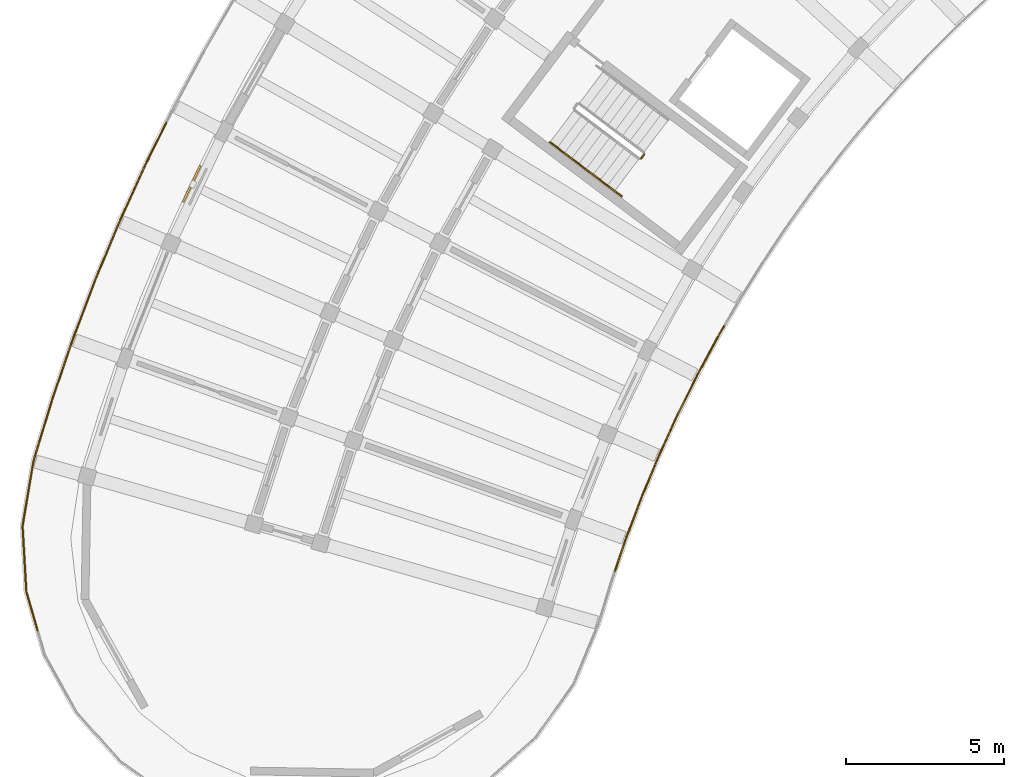
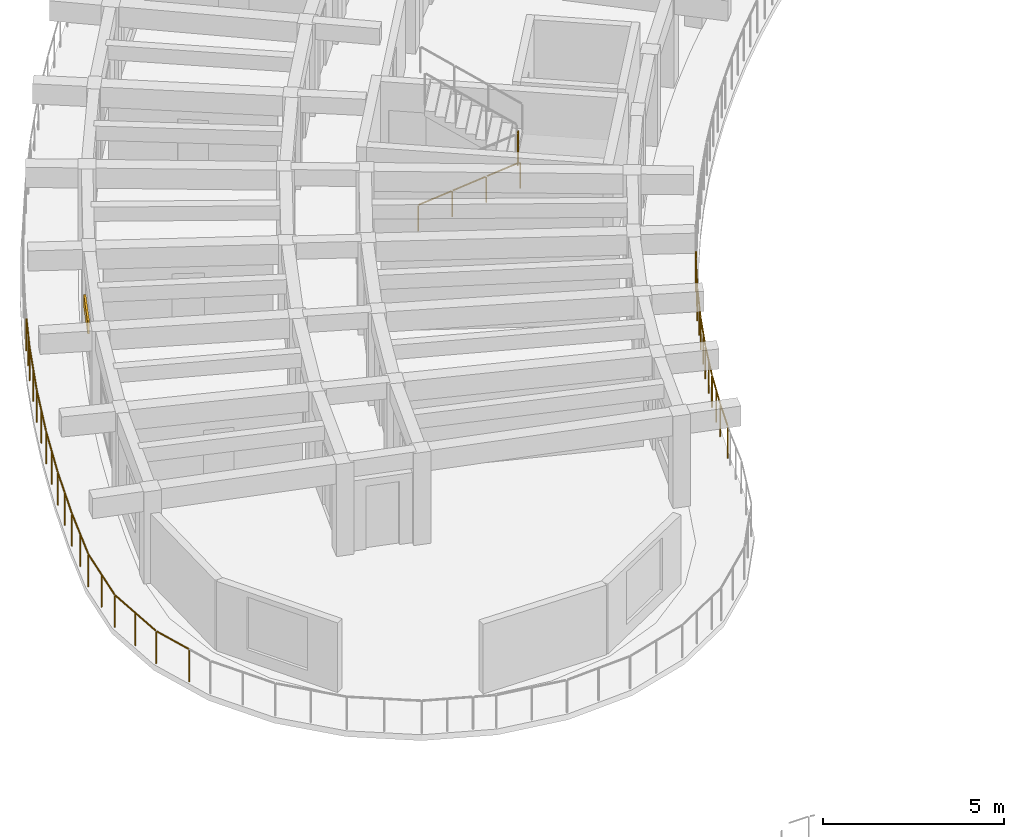
# One storey, part 70 of 83: 7 railings, 1 shading device.
"""IFC4 building model written with IfcOpenShell, lengths in metres."""

from ifc_helpers import new_model, si_unit, direction, frame, origin, origin_2d, place, context, subcontext, project, spatial, rectangle, circle, extrude, material, layer, layer_set, type_object, element, save


model = new_model("IFC4")

# Units and contexts
model_context = context("Model", 3, precision=1e-05, world=origin(), true_north=direction((0.0, 1.0)))
body_context = subcontext(model_context, "Body", "Model", "MODEL_VIEW")
ifc_project = project(units=[si_unit("LENGTHUNIT", "METRE"), si_unit("AREAUNIT", "SQUARE_METRE"), si_unit("VOLUMEUNIT", "CUBIC_METRE"), si_unit("PLANEANGLEUNIT", "RADIAN"), si_unit("MASSUNIT", "GRAM", prefix="KILO")], contexts=[model_context])

# Site, building, storey
site_placement = place(None, origin())
site = spatial("IfcSite", under=ifc_project, at=site_placement, CompositionType="ELEMENT")
building_placement = place(site_placement, origin())
building = spatial("IfcBuilding", under=site, at=building_placement, Name="Tanwirah Colonnade Gardens", CompositionType="ELEMENT")
storey_placement = place(building_placement, frame((0.0, 0.0, 25.639892578125)))
storey = spatial("IfcBuildingStorey", under=building, at=storey_placement, Name="L07", CompositionType="ELEMENT", Elevation=25.639892578125)

# Railings
ifc_material_1 = material(Name="Precast concrete C40/50", Category="concrete")
railing_type_1 = type_object("IfcRailingType", Name="BAL-EXT112", PredefinedType="BALUSTRADE", material=ifc_material_1)
railing_1_placement = place(storey_placement, frame((27.947509765625, 81.373046875, 0.0)))
element("IfcRailing", 1, at=railing_1_placement, inside=storey, type_object=railing_type_1, Name="Block A L07 Balcony Ribbon Balustrade 6", PredefinedType="BALUSTRADE", context=body_context, shape_type="SweptSolid", body=[
    extrude(circle(Radius=0.02392578125, at=origin_2d()), frame((-0.015625, -0.027099609375, 1.09619140625), z_axis=(-0.502423717067, -0.864621540634, 0.0), x_axis=(0.864621540634, -0.502423717067, 0.0)), (0.0, 0.0, 1.0), 0.32568359375),
    extrude(circle(Radius=0.02392578125, at=origin_2d()), frame((-0.211181640625, -0.365478515625, 1.09619140625), z_axis=(-0.473716211853, -0.880677552018, 0.0), x_axis=(0.880677552018, -0.473716211853, 0.0)), (0.0, 0.0, 1.0), 1.341796875),
    extrude(circle(Radius=0.02392578125, at=origin_2d()), frame((-0.876708984375, -1.60498046875, 1.09619140625), z_axis=(-0.444499692011, -0.895779003885, 0.0), x_axis=(0.895779003885, -0.444499692011, 0.0)), (0.0, 0.0, 1.0), 1.341796875),
    extrude(circle(Radius=0.02392578125, at=origin_2d()), frame((-1.501220703125, -2.865966796875, 1.09619140625), z_axis=(-0.414654197084, -0.909979063957, 0.0), x_axis=(0.909979063957, -0.414654197084, 0.0)), (0.0, 0.0, 1.0), 1.341796875),
    extrude(circle(Radius=0.02392578125, at=origin_2d()), frame((-2.08349609375, -4.146484375, 1.09619140625), z_axis=(-0.384541319971, -0.923107779858, 0.0), x_axis=(0.923107779858, -0.384541319971, 0.0)), (0.0, 0.0, 1.0), 1.341796875),
    extrude(circle(Radius=0.02392578125, at=origin_2d()), frame((-2.62353515625, -5.44580078125, 1.09619140625), z_axis=(-0.353789339155, -0.935325132508, 0.0), x_axis=(0.935325132508, -0.353789339155, 0.0)), (0.0, 0.0, 1.0), 1.341796875),
    extrude(circle(Radius=0.02392578125, at=origin_2d()), frame((-3.120361328125, -6.761962890625, 1.09619140625), z_axis=(-0.322900627553, -0.946432873862, 0.0), x_axis=(0.946432873862, -0.322900627553, 0.0)), (0.0, 0.0, 1.0), 1.011962890625),
    extrude(circle(Radius=0.02099609375, at=origin_2d()), origin(), (0.0, 0.0, 1.0), 1.069091796875),
    extrude(circle(Radius=0.02099609375, at=origin_2d()), frame((-0.195068359375, -0.335693359375, 0.0)), (0.0, 0.0, 1.0), 1.069091796875),
    extrude(circle(Radius=0.02099609375, at=origin_2d()), frame((-0.52880859375, -0.956298828125, 0.0)), (0.0, 0.0, 1.0), 1.069091796875),
    extrude(circle(Radius=0.02099609375, at=origin_2d()), frame((-0.861572265625, -1.57470703125, 0.0)), (0.0, 0.0, 1.0), 1.069091796875),
    extrude(circle(Radius=0.02099609375, at=origin_2d()), frame((-1.1748046875, -2.2060546875, 0.0)), (0.0, 0.0, 1.0), 1.069091796875),
    extrude(circle(Radius=0.02099609375, at=origin_2d()), frame((-1.487060546875, -2.8349609375, 0.0)), (0.0, 0.0, 1.0), 1.069091796875),
    extrude(circle(Radius=0.02099609375, at=origin_2d()), frame((-1.779296875, -3.476318359375, 0.0)), (0.0, 0.0, 1.0), 1.069091796875),
    extrude(circle(Radius=0.02099609375, at=origin_2d()), frame((-2.070556640625, -4.115234375, 0.0)), (0.0, 0.0, 1.0), 1.069091796875),
    extrude(circle(Radius=0.02099609375, at=origin_2d()), frame((-2.341552734375, -4.765869140625, 0.0)), (0.0, 0.0, 1.0), 1.069091796875),
    extrude(circle(Radius=0.02099609375, at=origin_2d()), frame((-2.611572265625, -5.4140625, 0.0)), (0.0, 0.0, 1.0), 1.069091796875),
    extrude(circle(Radius=0.02099609375, at=origin_2d()), frame((-2.86083984375, -6.0732421875, 0.0)), (0.0, 0.0, 1.0), 1.069091796875),
    extrude(circle(Radius=0.02099609375, at=origin_2d()), frame((-3.109375, -6.72998046875, 0.0)), (0.0, 0.0, 1.0), 1.069091796875),
    extrude(circle(Radius=0.02099609375, at=origin_2d()), frame((-3.457275390625, -7.749267578125, 0.0)), (0.0, 0.0, 1.0), 1.069091796875),
])
railing_2_placement = place(storey_placement, frame((6.184814453125, 71.72998046875, 0.0)))
element("IfcRailing", 2, at=railing_2_placement, inside=storey, type_object=railing_type_1, Name="Block A L07 Balcony Ribbon Balustrade 10", PredefinedType="BALUSTRADE", context=body_context, shape_type="SweptSolid", body=[
    extrude(circle(Radius=0.02392578125, at=origin_2d()), frame((-0.0087890625, 0.030029296875, 1.09619140625), z_axis=(-0.278016434724, 0.960576317646, 0.0), x_axis=(-0.960576317646, -0.278016434724, 0.0)), (0.0, 0.0, 1.0), 1.21875),
    extrude(circle(Radius=0.02392578125, at=origin_2d()), frame((-0.35791015625, 1.261962890625, 1.09619140625), z_axis=(-0.057322977065, 0.998355686266, 0.0), x_axis=(-0.998355686266, -0.057322977065, 0.0)), (0.0, 0.0, 1.0), 2.0244140625),
    extrude(circle(Radius=0.02392578125, at=origin_2d()), frame((-0.470703125, 3.344970703125, 1.09619140625), z_axis=(0.166292387508, 0.986076488847, 0.0), x_axis=(-0.986076488847, 0.166292387508, 0.0)), (0.0, 0.0, 1.0), 2.028076171875),
    extrude(circle(Radius=0.02392578125, at=origin_2d()), frame((-0.119140625, 5.405517578125, 1.09619140625), z_axis=(0.291363831298, 0.956612313224, 0.0), x_axis=(-0.956612313224, 0.291363831298, 0.0)), (0.0, 0.0, 1.0), 1.955078125),
    extrude(circle(Radius=0.02392578125, at=origin_2d()), frame((0.4697265625, 7.33544921875, 1.09619140625), z_axis=(0.322945869443, 0.946417437186, 0.0), x_axis=(-0.946417437186, 0.322945869443, 0.0)), (0.0, 0.0, 1.0), 0.961181640625),
    extrude(circle(Radius=0.02099609375, at=origin_2d()), origin(), (0.0, 0.0, 1.0), 1.069091796875),
    extrude(circle(Radius=0.02099609375, at=origin_2d()), frame((-0.356201171875, 1.230712890625, 0.0)), (0.0, 0.0, 1.0), 1.069091796875),
    extrude(circle(Radius=0.02099609375, at=origin_2d()), frame((-0.416015625, 2.2724609375, 0.0)), (0.0, 0.0, 1.0), 1.069091796875),
    extrude(circle(Radius=0.02099609375, at=origin_2d()), frame((-0.475830078125, 3.314208984375, 0.0)), (0.0, 0.0, 1.0), 1.069091796875),
    extrude(circle(Radius=0.02099609375, at=origin_2d()), frame((-0.302001953125, 4.344970703125, 0.0)), (0.0, 0.0, 1.0), 1.069091796875),
    extrude(circle(Radius=0.02099609375, at=origin_2d()), frame((-0.128173828125, 5.375732421875, 0.0)), (0.0, 0.0, 1.0), 1.069091796875),
    extrude(circle(Radius=0.02099609375, at=origin_2d()), frame((0.165771484375, 6.3408203125, 0.0)), (0.0, 0.0, 1.0), 1.069091796875),
    extrude(circle(Radius=0.02099609375, at=origin_2d()), frame((0.459716796875, 7.305908203125, 0.0)), (0.0, 0.0, 1.0), 1.069091796875),
    extrude(circle(Radius=0.02099609375, at=origin_2d()), frame((0.790283203125, 8.274658203125, 0.0)), (0.0, 0.0, 1.0), 1.069091796875),
])
railing_3_placement = place(storey_placement, frame((6.97509765625, 80.004638671875, 0.0)))
element("IfcRailing", 3, at=railing_3_placement, inside=storey, type_object=railing_type_1, Name="Block A L07 Balcony Ribbon Balustrade 11", PredefinedType="BALUSTRADE", context=body_context, shape_type="SweptSolid", body=[
    extrude(circle(Radius=0.02392578125, at=origin_2d()), frame((0.010009765625, 0.029541015625, 1.09619140625), z_axis=(0.322753642414, 0.946483008991, 0.0), x_axis=(-0.946483008991, 0.322753642414, 0.0)), (0.0, 0.0, 1.0), 0.935302734375),
    extrude(circle(Radius=0.02392578125, at=origin_2d()), frame((0.3330078125, 0.9736328125, 1.09619140625), z_axis=(0.353874964852, 0.935292739869, 0.0), x_axis=(-0.935292739869, 0.353874964852, 0.0)), (0.0, 0.0, 1.0), 1.958984375),
    extrude(circle(Radius=0.02392578125, at=origin_2d()), frame((1.04931640625, 2.86376953125, 1.09619140625), z_axis=(0.384409566544, 0.92316265368, 0.0), x_axis=(-0.92316265368, 0.384409566544, 0.0)), (0.0, 0.0, 1.0), 1.958984375),
    extrude(circle(Radius=0.02392578125, at=origin_2d()), frame((1.827392578125, 4.729736328125, 1.09619140625), z_axis=(0.414749084938, 0.909935820013, 0.0), x_axis=(-0.909935820013, 0.414749084938, 0.0)), (0.0, 0.0, 1.0), 1.958984375),
    extrude(circle(Radius=0.02392578125, at=origin_2d()), frame((2.666748046875, 6.568603515625, 1.09619140625), z_axis=(0.444426333087, 0.895815401999, 0.0), x_axis=(-0.895815401999, 0.444426333087, 0.0)), (0.0, 0.0, 1.0), 1.375),
    extrude(circle(Radius=0.02099609375, at=origin_2d()), origin(), (0.0, 0.0, 1.0), 1.069091796875),
    extrude(circle(Radius=0.02099609375, at=origin_2d()), frame((0.322021484375, 0.9443359375, 0.0)), (0.0, 0.0, 1.0), 1.069091796875),
    extrude(circle(Radius=0.02099609375, at=origin_2d()), frame((0.6796875, 1.8896484375, 0.0)), (0.0, 0.0, 1.0), 1.069091796875),
    extrude(circle(Radius=0.02099609375, at=origin_2d()), frame((1.037353515625, 2.8349609375, 0.0)), (0.0, 0.0, 1.0), 1.069091796875),
    extrude(circle(Radius=0.02099609375, at=origin_2d()), frame((1.42578125, 3.76806640625, 0.0)), (0.0, 0.0, 1.0), 1.069091796875),
    extrude(circle(Radius=0.02099609375, at=origin_2d()), frame((1.814453125, 4.701171875, 0.0)), (0.0, 0.0, 1.0), 1.069091796875),
    extrude(circle(Radius=0.02099609375, at=origin_2d()), frame((2.233642578125, 5.620849609375, 0.0)), (0.0, 0.0, 1.0), 1.069091796875),
    extrude(circle(Radius=0.02099609375, at=origin_2d()), frame((2.65283203125, 6.54052734375, 0.0)), (0.0, 0.0, 1.0), 1.069091796875),
    extrude(circle(Radius=0.02099609375, at=origin_2d()), frame((2.97216796875, 7.1845703125, 0.0)), (0.0, 0.0, 1.0), 1.069091796875),
    extrude(circle(Radius=0.02099609375, at=origin_2d()), frame((3.291748046875, 7.828369140625, 0.0)), (0.0, 0.0, 1.0), 1.069091796875),
])
ifc_material_2 = material(Name="Powder-coated galvanized steel", Category="steel")
railing_type_2 = type_object("IfcRailingType", Name="GRD-ST110", PredefinedType="GUARDRAIL", material=ifc_material_2)
railing_4_placement = place(storey_placement, frame((25.320068359375, 86.695068359375, 1.68017578125)))
element("IfcRailing", 4, at=railing_4_placement, inside=storey, type_object=railing_type_2, Name="L07 ST-A2 stair guard 2", PredefinedType="GUARDRAIL", context=body_context, shape_type="SweptSolid", body=[
    extrude(circle(Radius=0.02392578125, at=origin_2d()), frame((0.018798828125, 0.02490234375, 1.076171875), z_axis=(0.600975757569, 0.799267251183, 0.0), x_axis=(-0.799267251183, 0.600975757569, 0.0)), (0.0, 0.0, 1.0), 0.09765625),
    extrude(circle(Radius=0.02099609375, at=origin_2d()), origin(), (0.0, 0.0, 1.0), 1.049072265625),
    extrude(circle(Radius=0.02099609375, at=origin_2d()), frame((0.09619140625, 0.1279296875, 0.0)), (0.0, 0.0, 1.0), 1.049072265625),
])
ifc_material_3 = material(Name="Brushed bronze stainless steel", Category="steel")
railing_type_3 = type_object("IfcRailingType", Name="HR-ST090", PredefinedType="HANDRAIL", material=ifc_material_3)
for number, where, name in (
    (5, (22.43115234375, 87.206787109375, 0.168212890625), "L07 ST-A2 stair handrail 1"),
    (6, (23.18994140625, 86.635009765625, 0.734130859375), "L07 ST-A2 stair handrail 2"),
):
    element("IfcRailing", number, at=place(storey_placement, frame(where)), inside=storey, type_object=railing_type_3, Name=name, PredefinedType="HANDRAIL", context=body_context, shape_type="SweptSolid", body=[
        extrude(circle(Radius=0.02392578125, at=origin_2d()), frame((0.021484375, -0.01611328125, 0.891845703125), z_axis=(0.686145346169, -0.517037451972, 0.51173903231), x_axis=(0.601807485929, 0.798641189696, 0.0)), (0.0, 0.0, 1.0), 1.04345703125),
        extrude(circle(Radius=0.02099609375, at=origin_2d()), origin(), (0.0, 0.0, 1.0), 0.848876953125),
        extrude(circle(Radius=0.02099609375, at=origin_2d()), frame((0.7587890625, -0.57177734375, 0.56591796875)), (0.0, 0.0, 1.0), 0.848876953125),
    ])
railing_5_placement = place(storey_placement, frame((23.94873046875, 86.063232421875, 1.300048828125)))
element("IfcRailing", 7, at=railing_5_placement, inside=storey, type_object=railing_type_3, Name="L07 ST-A2 stair handrail 3", PredefinedType="HANDRAIL", context=body_context, shape_type="SweptSolid", body=[
    extrude(circle(Radius=0.02392578125, at=origin_2d()), frame((0.021484375, -0.01611328125, 0.891845703125), z_axis=(0.685950957095, -0.517057335538, 0.511979488092), x_axis=(0.601931007785, 0.798548096152, 0.0)), (0.0, 0.0, 1.0), 1.043212890625),
    extrude(circle(Radius=0.02099609375, at=origin_2d()), origin(), (0.0, 0.0, 1.0), 0.848876953125),
    extrude(circle(Radius=0.02099609375, at=origin_2d()), frame((0.758544921875, -0.57177734375, 0.566162109375)), (0.0, 0.0, 1.0), 0.848876953125),
])

# Shading device
ifc_material_4 = material(Name="Perforated architectural bronze aluminium", Category="aluminium")
ifc_layer = layer(ifc_material_4, 0.050048828125)
ifc_layer_set = layer_set([ifc_layer], Name="Perforated architectural bronze aluminium")
shading_device_type = type_object("IfcShadingDeviceType", Name="SHD-OVH1", PredefinedType="SHUTTER", material=ifc_layer_set)
shading_device_placement = place(storey_placement, frame((11.072021484375, 85.891357421875, 1.9052734375), z_axis=(0.0, 0.0, 1.0), x_axis=(-0.429636438109, -0.903001955175, 0.0)))
element("IfcShadingDevice", 8, at=shading_device_placement, inside=storey, type_object=shading_device_type, Name="Solar shading louver hood A-L07-15", PredefinedType="SHUTTER", context=body_context, shape_type="SweptSolid", body=[
    extrude(rectangle(XDim=1.280029296875, YDim=0.06005859375, at=origin_2d()), origin(), (0.0, 0.0, 1.0), 0.449951171875),
])

save(model, "model.ifc")
